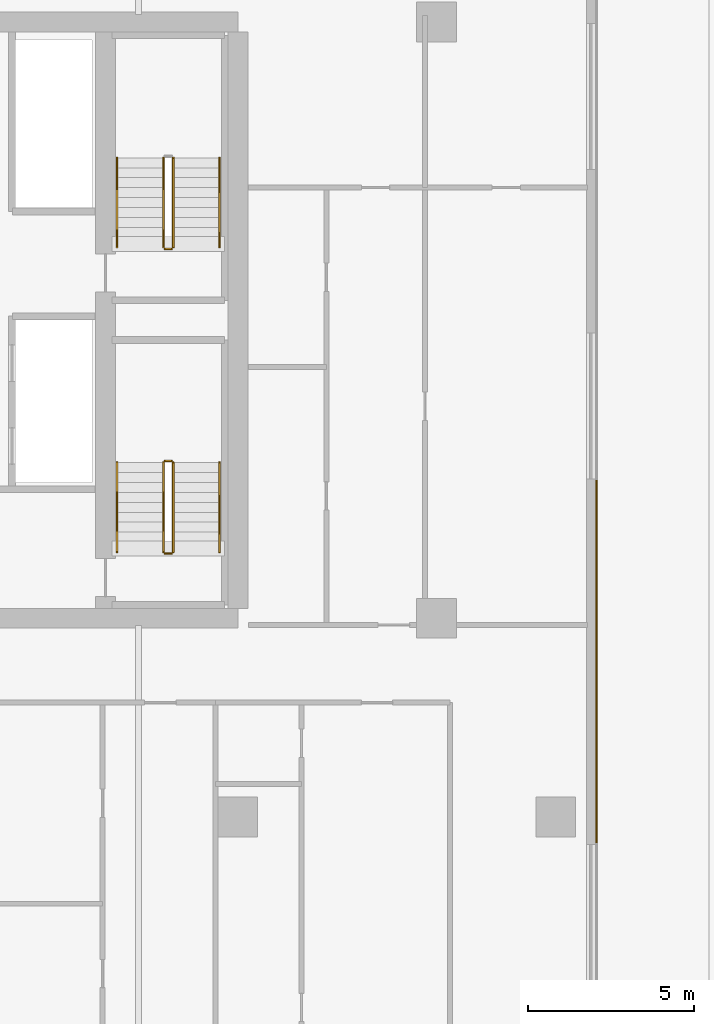
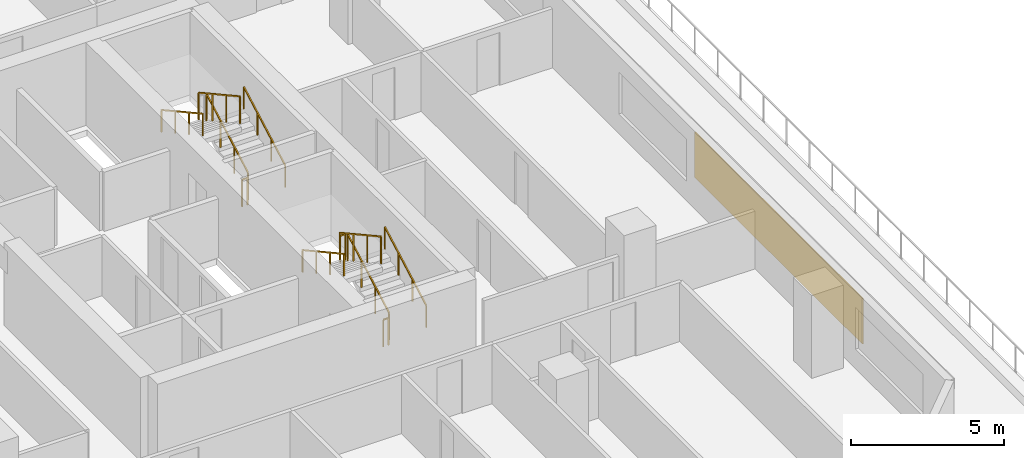
# One storey, part 20 of 23: 11 railings, 1 covering.
"""IFC4 building model written with IfcOpenShell, lengths in metres."""

from ifc_helpers import new_model, si_unit, direction, frame, origin, origin_2d, place, context, subcontext, project, spatial, rectangle, extrude, material, layer, layer_set, type_object, element, save


model = new_model("IFC4")

# Units and contexts
model_context = context("Model", 3, precision=1e-05, world=origin(), true_north=direction((0.0, 1.0)))
body_context = subcontext(model_context, "Body", "Model", "MODEL_VIEW")
ifc_project = project(units=[si_unit("LENGTHUNIT", "METRE"), si_unit("AREAUNIT", "SQUARE_METRE"), si_unit("VOLUMEUNIT", "CUBIC_METRE"), si_unit("PLANEANGLEUNIT", "RADIAN"), si_unit("MASSUNIT", "GRAM", prefix="KILO")], contexts=[model_context])

# Site, building, storey
site_placement = place(None, origin())
site = spatial("IfcSite", under=ifc_project, at=site_placement, CompositionType="ELEMENT")
building_placement = place(site_placement, origin())
building = spatial("IfcBuilding", under=site, at=building_placement, Name="Tanjung Sevakor Pilgrim Tower", CompositionType="ELEMENT")
storey_placement = place(building_placement, frame((0.0, 0.0, 29.0400390625)))
storey = spatial("IfcBuildingStorey", under=building, at=storey_placement, Name="L07", CompositionType="ELEMENT", Elevation=29.0400390625)

# Covering
ifc_material_1 = material(Name="Reconstructed Limestone Cladding", Category="masonry")
ifc_layer = layer(ifc_material_1, 0.044921875)
ifc_layer_set = layer_set([ifc_layer], Name="COV-CLAD-LIMESTONE")
covering_type = type_object("IfcCoveringType", Name="COV-CLAD-LIMESTONE", PredefinedType="CLADDING", material=ifc_layer_set)
covering_placement = place(storey_placement, frame((100.822509765625, 23.28955078125, 0.849853515625), z_axis=(0.0, 0.0, 1.0), x_axis=(0.0, 1.0, 0.0)))
element("IfcCovering", 1, at=covering_placement, inside=storey, type_object=covering_type, Name="L07 Warm Limestone Pier Panel EW-L07-MAIN-7-1", PredefinedType="CLADDING", context=body_context, shape_type="SweptSolid", body=[
    extrude(rectangle(XDim=10.94091796875, YDim=0.044921875, at=origin_2d()), origin(), (0.0, 0.0, 1.0), 1.81005859375),
])

# Railings
ifc_material_2 = material(Name="Steel S355J2", Category="steel")
railing_type_1 = type_object("IfcRailingType", Name="RL-STAIR-GUARD", PredefinedType="GUARDRAIL", material=ifc_material_2)
railing_1_placement = place(storey_placement, frame((88.050048828125, 26.60009765625, 0.1650390625)))
element("IfcRailing", 2, at=railing_1_placement, inside=storey, type_object=railing_type_1, Name="L07 TS-E1 stair guard 1", PredefinedType="GUARDRAIL", context=body_context, shape_type="SweptSolid", body=[
    extrude(rectangle(XDim=0.0479, YDim=0.0479), frame((0.0, 0.0, 1.076171875), z_axis=(0.0, 0.876230963923, 0.481891375584), x_axis=(-1.0, 0.0, 0.0)), (0.0, 0.0, 1.0), 3.081298828125),
    extrude(rectangle(XDim=0.042, YDim=0.042), origin(), (0.0, 0.0, 1.0), 1.052001953125),
    extrude(rectangle(XDim=0.042, YDim=0.042), frame((0.0, 0.89990234375, 0.494873046875)), (0.0, 0.0, 1.0), 1.052001953125),
    extrude(rectangle(XDim=0.042, YDim=0.042), frame((0.0, 1.800048828125, 0.989990234375)), (0.0, 0.0, 1.0), 1.052001953125),
    extrude(rectangle(XDim=0.042, YDim=0.042), frame((0.0, 2.699951171875, 1.48486328125)), (0.0, 0.0, 1.0), 1.052001953125),
])
railing_2_placement = place(storey_placement, frame((88.0, 29.35009765625, 1.64990234375)))
element("IfcRailing", 3, at=railing_2_placement, inside=storey, type_object=railing_type_1, Name="L07 TS-E1 stair guard 2", PredefinedType="GUARDRAIL", context=body_context, shape_type="SweptSolid", body=[
    extrude(rectangle(XDim=0.0479, YDim=0.0479), frame((0.0, 0.0, 1.076171875), z_axis=(-1.0, 0.0, 0.0), x_axis=(0.0, -1.0, 0.0)), (0.0, 0.0, 1.0), 0.199951171875),
    extrude(rectangle(XDim=0.042, YDim=0.042), origin(), (0.0, 0.0, 1.0), 1.052001953125),
    extrude(rectangle(XDim=0.042, YDim=0.042), frame((-0.199951171875, 0.0, 0.0)), (0.0, 0.0, 1.0), 1.052001953125),
])
railing_3_placement = place(storey_placement, frame((87.75, 29.300048828125, 1.81494140625)))
element("IfcRailing", 4, at=railing_3_placement, inside=storey, type_object=railing_type_1, Name="L07 TS-E1 stair guard 3", PredefinedType="GUARDRAIL", context=body_context, shape_type="SweptSolid", body=[
    extrude(rectangle(XDim=0.0479, YDim=0.0479), frame((0.0, 0.0, 1.076171875), z_axis=(0.0, -0.876197507361, 0.481952205197), x_axis=(1.0, 0.0, 0.0)), (0.0, 0.0, 1.0), 3.08154296875),
    extrude(rectangle(XDim=0.042, YDim=0.042), origin(), (0.0, 0.0, 1.0), 1.052001953125),
    extrude(rectangle(XDim=0.042, YDim=0.042), frame((0.0, -0.89990234375, 0.4951171875)), (0.0, 0.0, 1.0), 1.052001953125),
    extrude(rectangle(XDim=0.042, YDim=0.042), frame((0.0, -1.800048828125, 0.989990234375)), (0.0, 0.0, 1.0), 1.052001953125),
    extrude(rectangle(XDim=0.042, YDim=0.042), frame((0.0, -2.699951171875, 1.485107421875)), (0.0, 0.0, 1.0), 1.052001953125),
])
railing_4_placement = place(storey_placement, frame((88.0, 26.550048828125, 0.0)))
element("IfcRailing", 5, at=railing_4_placement, inside=storey, type_object=railing_type_1, Name="L07 TS-E1 stair guard 4", PredefinedType="GUARDRAIL", context=body_context, shape_type="SweptSolid", body=[
    extrude(rectangle(XDim=0.0479, YDim=0.0479), frame((0.0, 0.0, 1.076171875), z_axis=(-1.0, 0.0, 0.0), x_axis=(0.0, -1.0, 0.0)), (0.0, 0.0, 1.0), 0.199951171875),
    extrude(rectangle(XDim=0.042, YDim=0.042), origin(), (0.0, 0.0, 1.0), 1.052001953125),
    extrude(rectangle(XDim=0.042, YDim=0.042), frame((-0.199951171875, 0.0, 0.0)), (0.0, 0.0, 1.0), 1.052001953125),
])
railing_5_placement = place(storey_placement, frame((88.050048828125, 35.800048828125, 0.1650390625)))
element("IfcRailing", 6, at=railing_5_placement, inside=storey, type_object=railing_type_1, Name="L07 TS-E2 stair guard 1", PredefinedType="GUARDRAIL", context=body_context, shape_type="SweptSolid", body=[
    extrude(rectangle(XDim=0.0479, YDim=0.0479), frame((0.0, 0.0, 1.076171875), z_axis=(0.0, 0.876230963923, 0.481891375584), x_axis=(-1.0, 0.0, 0.0)), (0.0, 0.0, 1.0), 3.081298828125),
    extrude(rectangle(XDim=0.042, YDim=0.042), origin(), (0.0, 0.0, 1.0), 1.052001953125),
    extrude(rectangle(XDim=0.042, YDim=0.042), frame((0.0, 0.89990234375, 0.494873046875)), (0.0, 0.0, 1.0), 1.052001953125),
    extrude(rectangle(XDim=0.042, YDim=0.042), frame((0.0, 1.800048828125, 0.989990234375)), (0.0, 0.0, 1.0), 1.052001953125),
    extrude(rectangle(XDim=0.042, YDim=0.042), frame((0.0, 2.699951171875, 1.48486328125)), (0.0, 0.0, 1.0), 1.052001953125),
])
railing_6_placement = place(storey_placement, frame((87.75, 38.5, 1.81494140625)))
element("IfcRailing", 7, at=railing_6_placement, inside=storey, type_object=railing_type_1, Name="L07 TS-E2 stair guard 3", PredefinedType="GUARDRAIL", context=body_context, shape_type="SweptSolid", body=[
    extrude(rectangle(XDim=0.0479, YDim=0.0479), frame((0.0, 0.0, 1.076171875), z_axis=(0.0, -0.876197507361, 0.481952205197), x_axis=(1.0, 0.0, 0.0)), (0.0, 0.0, 1.0), 3.08154296875),
    extrude(rectangle(XDim=0.042, YDim=0.042), origin(), (0.0, 0.0, 1.0), 1.052001953125),
    extrude(rectangle(XDim=0.042, YDim=0.042), frame((0.0, -0.89990234375, 0.4951171875)), (0.0, 0.0, 1.0), 1.052001953125),
    extrude(rectangle(XDim=0.042, YDim=0.042), frame((0.0, -1.800048828125, 0.989990234375)), (0.0, 0.0, 1.0), 1.052001953125),
    extrude(rectangle(XDim=0.042, YDim=0.042), frame((0.0, -2.699951171875, 1.485107421875)), (0.0, 0.0, 1.0), 1.052001953125),
])
railing_7_placement = place(storey_placement, frame((88.0, 35.75, 0.0)))
element("IfcRailing", 8, at=railing_7_placement, inside=storey, type_object=railing_type_1, Name="L07 TS-E2 stair guard 4", PredefinedType="GUARDRAIL", context=body_context, shape_type="SweptSolid", body=[
    extrude(rectangle(XDim=0.0479, YDim=0.0479), frame((0.0, 0.0, 1.076171875), z_axis=(-1.0, 0.0, 0.0), x_axis=(0.0, -1.0, 0.0)), (0.0, 0.0, 1.0), 0.199951171875),
    extrude(rectangle(XDim=0.042, YDim=0.042), origin(), (0.0, 0.0, 1.0), 1.052001953125),
    extrude(rectangle(XDim=0.042, YDim=0.042), frame((-0.199951171875, 0.0, 0.0)), (0.0, 0.0, 1.0), 1.052001953125),
])
ifc_material_3 = material(Name="Steel S355J2", Category="steel")
railing_type_2 = type_object("IfcRailingType", Name="RL-STAIR-HAND", PredefinedType="HANDRAIL", material=ifc_material_3)
railing_8_placement = place(storey_placement, frame((89.449951171875, 26.60009765625, 0.1650390625)))
element("IfcRailing", 9, at=railing_8_placement, inside=storey, type_object=railing_type_2, Name="L07 TS-E1 stair handrail 1", PredefinedType="HANDRAIL", context=body_context, shape_type="SweptSolid", body=[
    extrude(rectangle(XDim=0.0479, YDim=0.0479), frame((0.0, 0.0, 0.8759765625), z_axis=(0.0, 0.876230963923, 0.481891375584), x_axis=(-1.0, 0.0, 0.0)), (0.0, 0.0, 1.0), 3.081298828125),
    extrude(rectangle(XDim=0.042, YDim=0.042), origin(), (0.0, 0.0, 1.0), 0.851806640625),
    extrude(rectangle(XDim=0.042, YDim=0.042), frame((0.0, 0.89990234375, 0.494873046875)), (0.0, 0.0, 1.0), 0.851806640625),
    extrude(rectangle(XDim=0.042, YDim=0.042), frame((0.0, 1.800048828125, 0.989990234375)), (0.0, 0.0, 1.0), 0.851806640625),
    extrude(rectangle(XDim=0.042, YDim=0.042), frame((0.0, 2.699951171875, 1.48486328125)), (0.0, 0.0, 1.0), 0.851806640625),
])
railing_9_placement = place(storey_placement, frame((86.35009765625, 29.300048828125, 1.81494140625)))
element("IfcRailing", 10, at=railing_9_placement, inside=storey, type_object=railing_type_2, Name="L07 TS-E1 stair handrail 2", PredefinedType="HANDRAIL", context=body_context, shape_type="SweptSolid", body=[
    extrude(rectangle(XDim=0.0479, YDim=0.0479), frame((0.0, 0.0, 0.8759765625), z_axis=(0.0, -0.876197507361, 0.481952205197), x_axis=(1.0, 0.0, 0.0)), (0.0, 0.0, 1.0), 3.08154296875),
    extrude(rectangle(XDim=0.042, YDim=0.042), origin(), (0.0, 0.0, 1.0), 0.851806640625),
    extrude(rectangle(XDim=0.042, YDim=0.042), frame((0.0, -0.89990234375, 0.4951171875)), (0.0, 0.0, 1.0), 0.851806640625),
    extrude(rectangle(XDim=0.042, YDim=0.042), frame((0.0, -1.800048828125, 0.989990234375)), (0.0, 0.0, 1.0), 0.851806640625),
    extrude(rectangle(XDim=0.042, YDim=0.042), frame((0.0, -2.699951171875, 1.485107421875)), (0.0, 0.0, 1.0), 0.851806640625),
])
railing_10_placement = place(storey_placement, frame((89.449951171875, 35.800048828125, 0.1650390625)))
element("IfcRailing", 11, at=railing_10_placement, inside=storey, type_object=railing_type_2, Name="L07 TS-E2 stair handrail 1", PredefinedType="HANDRAIL", context=body_context, shape_type="SweptSolid", body=[
    extrude(rectangle(XDim=0.0479, YDim=0.0479), frame((0.0, 0.0, 0.8759765625), z_axis=(0.0, 0.876230963923, 0.481891375584), x_axis=(-1.0, 0.0, 0.0)), (0.0, 0.0, 1.0), 3.081298828125),
    extrude(rectangle(XDim=0.042, YDim=0.042), origin(), (0.0, 0.0, 1.0), 0.851806640625),
    extrude(rectangle(XDim=0.042, YDim=0.042), frame((0.0, 0.89990234375, 0.494873046875)), (0.0, 0.0, 1.0), 0.851806640625),
    extrude(rectangle(XDim=0.042, YDim=0.042), frame((0.0, 1.800048828125, 0.989990234375)), (0.0, 0.0, 1.0), 0.851806640625),
    extrude(rectangle(XDim=0.042, YDim=0.042), frame((0.0, 2.699951171875, 1.48486328125)), (0.0, 0.0, 1.0), 0.851806640625),
])
railing_11_placement = place(storey_placement, frame((86.35009765625, 38.5, 1.81494140625)))
element("IfcRailing", 12, at=railing_11_placement, inside=storey, type_object=railing_type_2, Name="L07 TS-E2 stair handrail 2", PredefinedType="HANDRAIL", context=body_context, shape_type="SweptSolid", body=[
    extrude(rectangle(XDim=0.0479, YDim=0.0479), frame((0.0, 0.0, 0.8759765625), z_axis=(0.0, -0.876197507361, 0.481952205197), x_axis=(1.0, 0.0, 0.0)), (0.0, 0.0, 1.0), 3.08154296875),
    extrude(rectangle(XDim=0.042, YDim=0.042), origin(), (0.0, 0.0, 1.0), 0.851806640625),
    extrude(rectangle(XDim=0.042, YDim=0.042), frame((0.0, -0.89990234375, 0.4951171875)), (0.0, 0.0, 1.0), 0.851806640625),
    extrude(rectangle(XDim=0.042, YDim=0.042), frame((0.0, -1.800048828125, 0.989990234375)), (0.0, 0.0, 1.0), 0.851806640625),
    extrude(rectangle(XDim=0.042, YDim=0.042), frame((0.0, -2.699951171875, 1.485107421875)), (0.0, 0.0, 1.0), 0.851806640625),
])

save(model, "model.ifc")
